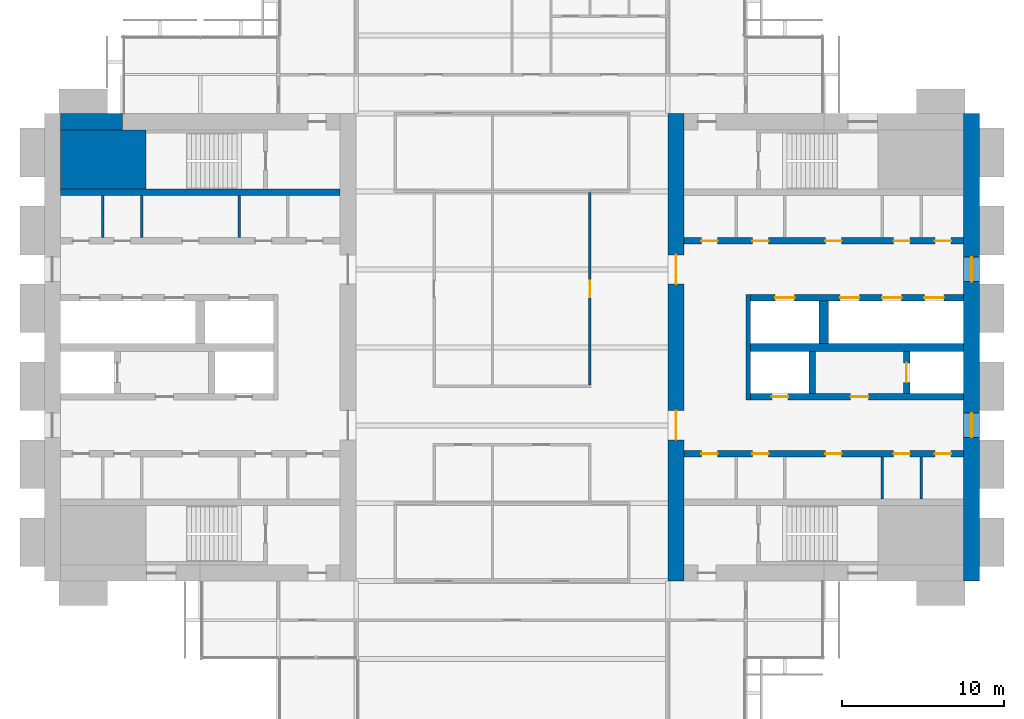
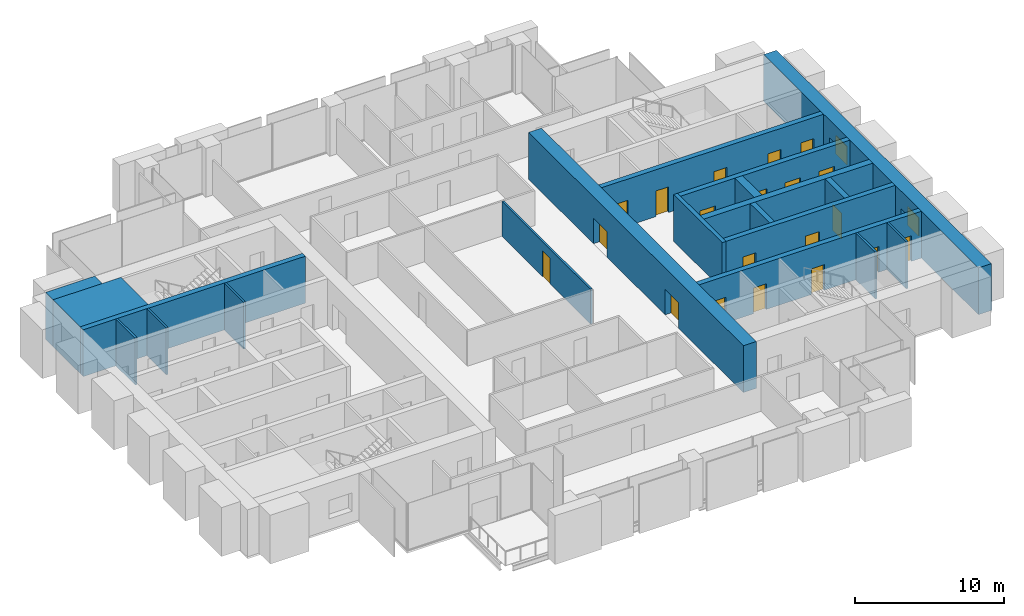
# One storey, part 11 of 14: 20 doors, 20 walls, 2 windows, 22 openings.
"""IFC4 building model written with IfcOpenShell, lengths in metres."""

from ifc_helpers import new_model, si_unit, direction, frame, frame_2d, origin, place, context, subcontext, project, spatial, rectangle, extrude, material, layer, layer_set, type_object, element, fill, save


model = new_model("IFC4")

# Units and contexts
model_context = context("Model", 3, precision=1e-05, world=origin(), true_north=direction((0.0, 1.0)))
body_context = subcontext(model_context, "Body", "Model", "MODEL_VIEW")
ifc_project = project(units=[si_unit("LENGTHUNIT", "METRE"), si_unit("AREAUNIT", "SQUARE_METRE"), si_unit("VOLUMEUNIT", "CUBIC_METRE"), si_unit("PLANEANGLEUNIT", "RADIAN"), si_unit("MASSUNIT", "GRAM", prefix="KILO")], contexts=[model_context])

# Site, building, storey
site_placement = place(None, origin())
site = spatial("IfcSite", under=ifc_project, at=site_placement, CompositionType="ELEMENT")
building_placement = place(site_placement, origin())
building = spatial("IfcBuilding", under=site, at=building_placement, Name="Baori Bourse Tower", CompositionType="ELEMENT")
storey_placement = place(building_placement, frame((0.0, 0.0, 148.10009765625)))
storey = spatial("IfcBuildingStorey", under=building, at=storey_placement, Name="L32", CompositionType="ELEMENT", Elevation=148.10009765625)

# Walls
ifc_material_1 = material(Name="Concrete f'c 60 MPa", Category="concrete")
wall_type_1 = type_object("IfcWallType", Name="Core corner block f'c 60", PredefinedType="SHEAR", material=ifc_material_1)
wall_1_placement = place(storey_placement, frame((1.0, 35.574951171875, 0.0), z_axis=(0.0, 0.0, 1.0), x_axis=(1.0, 0.0, 0.0)))
element("IfcWall", 1, at=wall_1_placement, inside=storey, type_object=wall_type_1, Name="Core wall W28", PredefinedType="SHEAR", context=body_context, shape_type="SweptSolid", body=[
    extrude(rectangle(XDim=5.25, YDim=3.64990234375, at=frame_2d((2.625, 0.0))), origin(), (0.0, 0.0, 1.0), 3.83984375),
])
ifc_material_2 = material(Name="Blockwork partition", Category="masonry")
ifc_layer_1 = layer(ifc_material_2, 0.14990234375)
ifc_layer_set_1 = layer_set([ifc_layer_1], Name="Core partition 150")
wall_type_2 = type_object("IfcWallType", Name="Core partition 150", PredefinedType="PARTITIONING", material=ifc_layer_set_1)
for number, where, z_axis, x_axis, name in (
    (2, (3.60009765625, 30.75, 0.0), (0.0, 0.0, 1.0), (0.0, 1.0, 0.0), "Partition wall W23"),
    (3, (6.0, 30.75, 0.0), (0.0, 0.0, 1.0), (0.0, 1.0, 0.0), "Partition wall W24"),
    (4, (12.0, 30.75, 0.0), (0.0, 0.0, 1.0), (0.0, 1.0, 0.0), "Partition wall W25"),
    (5, (54.0, 14.64990234375, 0.0), (0.0, 0.0, 1.0), (0.0, 1.0, 0.0), "Partition wall E10"),
    (6, (51.60009765625, 14.64990234375, 0.0), (0.0, 0.0, 1.0), (0.0, 1.0, 0.0), "Partition wall E11"),
):
    element("IfcWall", number, at=place(storey_placement, frame(where, z_axis=z_axis, x_axis=x_axis)), inside=storey, type_object=wall_type_2, Name=name, PredefinedType="PARTITIONING", context=body_context, shape_type="SweptSolid", body=[
        extrude(rectangle(XDim=2.60009765625, YDim=0.14990234375, at=frame_2d((1.300048828125, 0.0))), origin(), (0.0, 0.0, 1.0), 3.83984375),
    ])
ifc_material_3 = material(Name="Concrete f'c 60 MPa", Category="concrete")
ifc_layer_2 = layer(ifc_material_3, 1.0)
ifc_layer_set_2 = layer_set([ifc_layer_2], Name="Core wall 1000 f'c 60")
wall_type_3 = type_object("IfcWallType", Name="Core wall 1000 f'c 60", PredefinedType="SHEAR", material=ifc_layer_set_2)
wall_2_placement = place(storey_placement, frame((1.0, 37.89990234375, 0.0), z_axis=(0.0, 0.0, 1.0), x_axis=(1.0, 0.0, 0.0)))
element("IfcWall", 7, at=wall_2_placement, inside=storey, type_object=wall_type_3, Name="Core wall W31", PredefinedType="SHEAR", context=body_context, shape_type="SweptSolid", body=[
    extrude(rectangle(XDim=3.800048828125, YDim=1.0, at=frame_2d((1.89990234375, 0.0))), origin(), (0.0, 0.0, 1.0), 3.83984375),
])

# Wall, openings, windows
wall_3_placement = place(storey_placement, frame((57.10009765625, 38.39990234375, 0.0), z_axis=(0.0, 0.0, 1.0), x_axis=(0.0, -1.0, 0.0)))
wall_3 = element("IfcWall", 8, at=wall_3_placement, inside=storey, type_object=wall_type_3, Name="Core wall E01", PredefinedType="SHEAR", context=body_context, shape_type="SweptSolid", body=[
    extrude(rectangle(XDim=28.7998046875, YDim=1.0, at=frame_2d((14.39990234375, 0.0))), origin(), (0.0, 0.0, 1.0), 3.83984375),
])
opening_1_placement = place(wall_3_placement, frame((18.449951171875, 0.0, 0.89990234375)))
opening_1 = element("IfcOpeningElement", 9, at=opening_1_placement, cuts=wall_3, Name="Opening L32-KW201", PredefinedType="OPENING", context=body_context, shape_type="SweptSolid", body=[
    extrude(rectangle(XDim=1.5, YDim=1.5, at=frame_2d((0.75, 0.75))), frame((0.0, 0.510009765625, 0.0), z_axis=(0.0, -1.0, 0.0), x_axis=(1.0, 0.0, 0.0)), (0.0, 0.0, 1.0), 1.02001953125),
])
opening_2_placement = place(wall_3_placement, frame((8.85009765625, 0.0, 0.89990234375)))
opening_2 = element("IfcOpeningElement", 10, at=opening_2_placement, cuts=wall_3, Name="Opening L32-KW202", PredefinedType="OPENING", context=body_context, shape_type="SweptSolid", body=[
    extrude(rectangle(XDim=1.5, YDim=1.5, at=frame_2d((0.75, 0.75))), frame((0.0, 0.510009765625, 0.0), z_axis=(0.0, -1.0, 0.0), x_axis=(1.0, 0.0, 0.0)), (0.0, 0.0, 1.0), 1.02001953125),
])
ifc_material_4 = material(Name="Pale anodised aluminium", Category="aluminium")
window_type = type_object("IfcWindowType", Name="Lobby window 1500 x 1500", PartitioningType="SINGLE_PANEL", PredefinedType="WINDOW", material=ifc_material_4)
window_1_placement = place(opening_1_placement, origin())
window_1 = element("IfcWindow", 11, at=window_1_placement, inside=storey, type_object=window_type, Name="Outer wall window E L32 1", OverallHeight=1.5, OverallWidth=1.5, PartitioningType="SINGLE_PANEL", PredefinedType="WINDOW", context=body_context, shape_type="SweptSolid", body=[
    extrude(rectangle(XDim=1.5, YDim=1.5, at=frame_2d((0.75, 0.75))), frame((0.0, 0.030029296875, 0.0), z_axis=(0.0, -1.0, 0.0), x_axis=(1.0, 0.0, 0.0)), (0.0, 0.0, 1.0), 0.06005859375),
])
fill(opening_1, window_1)
window_2_placement = place(opening_2_placement, origin())
window_2 = element("IfcWindow", 12, at=window_2_placement, inside=storey, type_object=window_type, Name="Outer wall window E L32 2", OverallHeight=1.5, OverallWidth=1.5, PartitioningType="SINGLE_PANEL", PredefinedType="WINDOW", context=body_context, shape_type="SweptSolid", body=[
    extrude(rectangle(XDim=1.5, YDim=1.5, at=frame_2d((0.75, 0.75))), frame((0.0, 0.030029296875, 0.0), z_axis=(0.0, -1.0, 0.0), x_axis=(1.0, 0.0, 0.0)), (0.0, 0.0, 1.0), 0.06005859375),
])
fill(opening_2, window_2)

# Wall, openings, doors
wall_4_placement = place(storey_placement, frame((38.89990234375, 9.60009765625, 0.0), z_axis=(0.0, 0.0, 1.0), x_axis=(0.0, 1.0, 0.0)))
wall_4 = element("IfcWall", 13, at=wall_4_placement, inside=storey, type_object=wall_type_3, Name="Core wall E04", PredefinedType="SHEAR", context=body_context, shape_type="SweptSolid", body=[
    extrude(rectangle(XDim=28.7998046875, YDim=1.0, at=frame_2d((14.39990234375, 0.0))), origin(), (0.0, 0.0, 1.0), 3.83984375),
])
opening_3_placement = place(wall_4_placement, frame((8.699951171875, 0.0, 0.0)))
opening_3 = element("IfcOpeningElement", 14, at=opening_3_placement, cuts=wall_4, Name="Opening L32-D207", PredefinedType="OPENING", context=body_context, shape_type="SweptSolid", body=[
    extrude(rectangle(XDim=1.800048828125, YDim=2.10009765625, at=frame_2d((0.89990234375, 1.050048828125))), frame((0.0, 0.510009765625, 0.0), z_axis=(0.0, -1.0, 0.0), x_axis=(1.0, 0.0, 0.0)), (0.0, 0.0, 1.0), 1.02001953125),
])
opening_4_placement = place(wall_4_placement, frame((18.300048828125, 0.0, 0.0)))
opening_4 = element("IfcOpeningElement", 15, at=opening_4_placement, cuts=wall_4, Name="Opening L32-D208", PredefinedType="OPENING", context=body_context, shape_type="SweptSolid", body=[
    extrude(rectangle(XDim=1.800048828125, YDim=2.10009765625, at=frame_2d((0.89990234375, 1.050048828125))), frame((0.0, 0.510009765625, 0.0), z_axis=(0.0, -1.0, 0.0), x_axis=(1.0, 0.0, 0.0)), (0.0, 0.0, 1.0), 1.02001953125),
])
ifc_material_5 = material(Name="Painted steel door", Category="steel")
door_type_1 = type_object("IfcDoorType", Name="Core lobby door 1800", OperationType="DOUBLE_DOOR_SINGLE_SWING", PredefinedType="DOOR", material=ifc_material_5)
door_1_placement = place(opening_3_placement, origin())
door_1 = element("IfcDoor", 16, at=door_1_placement, inside=storey, type_object=door_type_1, Name="Lobby door E L32", OperationType="DOUBLE_DOOR_SINGLE_SWING", OverallHeight=2.10009765625, OverallWidth=1.800048828125, PredefinedType="DOOR", context=body_context, shape_type="SweptSolid", body=[
    extrude(rectangle(XDim=1.800048828125, YDim=2.10009765625, at=frame_2d((0.89990234375, 1.050048828125))), frame((0.0, 0.02490234375, 0.0), z_axis=(0.0, -1.0, 0.0), x_axis=(1.0, 0.0, 0.0)), (0.0, 0.0, 1.0), 0.050048828125),
])
fill(opening_3, door_1)
door_2_placement = place(opening_4_placement, origin())
door_2 = element("IfcDoor", 17, at=door_2_placement, inside=storey, type_object=door_type_1, Name="Lobby door E L32", OperationType="DOUBLE_DOOR_SINGLE_SWING", OverallHeight=2.10009765625, OverallWidth=1.800048828125, PredefinedType="DOOR", context=body_context, shape_type="SweptSolid", body=[
    extrude(rectangle(XDim=1.800048828125, YDim=2.10009765625, at=frame_2d((0.89990234375, 1.050048828125))), frame((0.0, 0.02490234375, 0.0), z_axis=(0.0, -1.0, 0.0), x_axis=(1.0, 0.0, 0.0)), (0.0, 0.0, 1.0), 0.050048828125),
])
fill(opening_4, door_2)

# Wall, opening, door
ifc_material_6 = material(Name="Gypsum board partition")
ifc_layer_3 = layer(ifc_material_6, 0.14990234375)
ifc_layer_set_3 = layer_set([ifc_layer_3], Name="Corridor partition 150")
wall_type_4 = type_object("IfcWallType", Name="Corridor partition 150", PredefinedType="PARTITIONING", material=ifc_layer_set_3)
wall_5_placement = place(storey_placement, frame((33.60009765625, 21.675048828125, 0.0), z_axis=(0.0, 0.0, 1.0), x_axis=(0.0, 1.0, 0.0)))
wall_5 = element("IfcWall", 18, at=wall_5_placement, inside=storey, type_object=wall_type_4, Name="Partition", PredefinedType="PARTITIONING", context=body_context, shape_type="SweptSolid", body=[
    extrude(rectangle(XDim=11.849853515625, YDim=0.14990234375, at=frame_2d((5.9248046875, 0.0))), origin(), (0.0, 0.0, 1.0), 2.849365234375),
])
opening_5_placement = place(wall_5_placement, frame((5.425048828125, 0.0, 0.0)))
opening_5 = element("IfcOpeningElement", 19, at=opening_5_placement, cuts=wall_5, Name="Opening L32-D20", PredefinedType="OPENING", context=body_context, shape_type="SweptSolid", body=[
    extrude(rectangle(XDim=1.0, YDim=2.10009765625, at=frame_2d((0.5, 1.050048828125))), frame((0.0, 0.0849609375, 0.0), z_axis=(0.0, -1.0, 0.0), x_axis=(1.0, 0.0, 0.0)), (0.0, 0.0, 1.0), 0.169921875),
])
ifc_material_7 = material(Name="Timber door leaf", Category="wood")
door_type_2 = type_object("IfcDoorType", Name="Door 1000 x 2100", OperationType="SINGLE_SWING_LEFT", PredefinedType="DOOR", material=ifc_material_7)
door_3_placement = place(opening_5_placement, origin())
door_3 = element("IfcDoor", 20, at=door_3_placement, inside=storey, type_object=door_type_2, Name="Door", OperationType="SINGLE_SWING_LEFT", OverallHeight=2.10009765625, OverallWidth=1.0, PredefinedType="DOOR", context=body_context, shape_type="SweptSolid", body=[
    extrude(rectangle(XDim=1.0, YDim=2.10009765625, at=frame_2d((0.5, 1.050048828125))), frame((0.0, 0.02490234375, 0.0), z_axis=(0.0, -1.0, 0.0), x_axis=(1.0, 0.0, 0.0)), (0.0, 0.0, 1.0), 0.050048828125),
])
fill(opening_5, door_3)

# Walls
ifc_material_8 = material(Name="Concrete f'c 60 MPa", Category="concrete")
ifc_layer_4 = layer(ifc_material_8, 0.300048828125)
ifc_layer_set_4 = layer_set([ifc_layer_4], Name="Shaft wall 300 f'c 60")
wall_type_5 = type_object("IfcWallType", Name="Shaft wall 300 f'c 60", PredefinedType="SHEAR", material=ifc_layer_set_4)
wall_6_placement = place(storey_placement, frame((43.35009765625, 20.75, 0.0), z_axis=(0.0, 0.0, 1.0), x_axis=(0.0, 1.0, 0.0)))
element("IfcWall", 21, at=wall_6_placement, inside=storey, type_object=wall_type_5, Name="Core wall E16", PredefinedType="SHEAR", context=body_context, shape_type="SweptSolid", body=[
    extrude(rectangle(XDim=6.5, YDim=0.300048828125, at=frame_2d((3.25, 0.0))), origin(), (0.0, 0.0, 1.0), 3.83984375),
])
ifc_material_9 = material(Name="Concrete f'c 60 MPa", Category="concrete")
ifc_layer_5 = layer(ifc_material_9, 0.39990234375)
ifc_layer_set_5 = layer_set([ifc_layer_5], Name="Shaft wall 400 f'c 60")
wall_type_6 = type_object("IfcWallType", Name="Shaft wall 400 f'c 60", PredefinedType="SHEAR", material=ifc_layer_set_5)
wall_7_placement = place(storey_placement, frame((1.0, 33.550048828125, 0.0), z_axis=(0.0, 0.0, 1.0), x_axis=(1.0, 0.0, 0.0)))
element("IfcWall", 22, at=wall_7_placement, inside=storey, type_object=wall_type_6, Name="Core wall W27", PredefinedType="SHEAR", context=body_context, shape_type="SweptSolid", body=[
    extrude(rectangle(XDim=17.199951171875, YDim=0.39990234375, at=frame_2d((8.60009765625, 0.0))), origin(), (0.0, 0.0, 1.0), 3.83984375),
])

# Wall, openings, doors
wall_8_placement = place(storey_placement, frame((39.39990234375, 17.449951171875, 0.0), z_axis=(0.0, 0.0, 1.0), x_axis=(1.0, 0.0, 0.0)))
wall_8 = element("IfcWall", 23, at=wall_8_placement, inside=storey, type_object=wall_type_6, Name="Core wall E14", PredefinedType="SHEAR", context=body_context, shape_type="SweptSolid", body=[
    extrude(rectangle(XDim=17.2001953125, YDim=0.39990234375, at=frame_2d((8.60009765625, 0.0))), origin(), (0.0, 0.0, 1.0), 3.83984375),
])
opening_6_placement = place(wall_8_placement, frame((15.4375, 0.0, 0.0)))
opening_6 = element("IfcOpeningElement", 24, at=opening_6_placement, cuts=wall_8, Name="Opening L32-D214", PredefinedType="OPENING", context=body_context, shape_type="SweptSolid", body=[
    extrude(rectangle(XDim=1.0, YDim=2.10009765625, at=frame_2d((0.5, 1.050048828125))), frame((0.0, 0.2099609375, 0.0), z_axis=(0.0, -1.0, 0.0), x_axis=(1.0, 0.0, 0.0)), (0.0, 0.0, 1.0), 0.419921875),
])
opening_7_placement = place(wall_8_placement, frame((12.89990234375, 0.0, 0.0)))
opening_7 = element("IfcOpeningElement", 25, at=opening_7_placement, cuts=wall_8, Name="Opening L32-D215", PredefinedType="OPENING", context=body_context, shape_type="SweptSolid", body=[
    extrude(rectangle(XDim=1.0, YDim=2.10009765625, at=frame_2d((0.5, 1.050048828125))), frame((0.0, 0.2099609375, 0.0), z_axis=(0.0, -1.0, 0.0), x_axis=(1.0, 0.0, 0.0)), (0.0, 0.0, 1.0), 0.419921875),
])
opening_8_placement = place(wall_8_placement, frame((8.699951171875, 0.0, 0.0)))
opening_8 = element("IfcOpeningElement", 26, at=opening_8_placement, cuts=wall_8, Name="Opening L32-D216", PredefinedType="OPENING", context=body_context, shape_type="SweptSolid", body=[
    extrude(rectangle(XDim=1.0, YDim=2.10009765625, at=frame_2d((0.5, 1.050048828125))), frame((0.0, 0.2099609375, 0.0), z_axis=(0.0, -1.0, 0.0), x_axis=(1.0, 0.0, 0.0)), (0.0, 0.0, 1.0), 0.419921875),
])
opening_9_placement = place(wall_8_placement, frame((4.199951171875, 0.0, 0.0)))
opening_9 = element("IfcOpeningElement", 27, at=opening_9_placement, cuts=wall_8, Name="Opening L32-D217", PredefinedType="OPENING", context=body_context, shape_type="SweptSolid", body=[
    extrude(rectangle(XDim=1.0, YDim=2.10009765625, at=frame_2d((0.5, 1.050048828125))), frame((0.0, 0.2099609375, 0.0), z_axis=(0.0, -1.0, 0.0), x_axis=(1.0, 0.0, 0.0)), (0.0, 0.0, 1.0), 0.419921875),
])
opening_10_placement = place(wall_8_placement, frame((1.0625, 0.0, 0.0)))
opening_10 = element("IfcOpeningElement", 28, at=opening_10_placement, cuts=wall_8, Name="Opening L32-D218", PredefinedType="OPENING", context=body_context, shape_type="SweptSolid", body=[
    extrude(rectangle(XDim=1.0, YDim=2.10009765625, at=frame_2d((0.5, 1.050048828125))), frame((0.0, 0.2099609375, 0.0), z_axis=(0.0, -1.0, 0.0), x_axis=(1.0, 0.0, 0.0)), (0.0, 0.0, 1.0), 0.419921875),
])
ifc_material_10 = material(Name="Painted steel door", Category="steel")
door_type_3 = type_object("IfcDoorType", Name="Core door 1000", OperationType="SINGLE_SWING_LEFT", PredefinedType="DOOR", material=ifc_material_10)
door_4_placement = place(opening_6_placement, origin())
door_4 = element("IfcDoor", 29, at=door_4_placement, inside=storey, type_object=door_type_3, Name="Store Room door E L32", OperationType="SINGLE_SWING_LEFT", OverallHeight=2.10009765625, OverallWidth=1.0, PredefinedType="DOOR", context=body_context, shape_type="SweptSolid", body=[
    extrude(rectangle(XDim=1.0, YDim=2.10009765625, at=frame_2d((0.5, 1.050048828125))), frame((0.0, 0.02490234375, 0.0), z_axis=(0.0, -1.0, 0.0), x_axis=(1.0, 0.0, 0.0)), (0.0, 0.0, 1.0), 0.050048828125),
])
fill(opening_6, door_4)
door_5_placement = place(opening_7_placement, origin())
door_5 = element("IfcDoor", 30, at=door_5_placement, inside=storey, type_object=door_type_3, Name="Pantry door E L32", OperationType="SINGLE_SWING_LEFT", OverallHeight=2.10009765625, OverallWidth=1.0, PredefinedType="DOOR", context=body_context, shape_type="SweptSolid", body=[
    extrude(rectangle(XDim=1.0, YDim=2.10009765625, at=frame_2d((0.5, 1.050048828125))), frame((0.0, 0.02490234375, 0.0), z_axis=(0.0, -1.0, 0.0), x_axis=(1.0, 0.0, 0.0)), (0.0, 0.0, 1.0), 0.050048828125),
])
fill(opening_7, door_5)
door_6_placement = place(opening_8_placement, origin())
door_6 = element("IfcDoor", 31, at=door_6_placement, inside=storey, type_object=door_type_3, Name="Men'S Wc door E L32", OperationType="SINGLE_SWING_LEFT", OverallHeight=2.10009765625, OverallWidth=1.0, PredefinedType="DOOR", context=body_context, shape_type="SweptSolid", body=[
    extrude(rectangle(XDim=1.0, YDim=2.10009765625, at=frame_2d((0.5, 1.050048828125))), frame((0.0, 0.02490234375, 0.0), z_axis=(0.0, -1.0, 0.0), x_axis=(1.0, 0.0, 0.0)), (0.0, 0.0, 1.0), 0.050048828125),
])
fill(opening_8, door_6)
door_7_placement = place(opening_9_placement, origin())
door_7 = element("IfcDoor", 32, at=door_7_placement, inside=storey, type_object=door_type_3, Name="Women'S Wc door E L32", OperationType="SINGLE_SWING_LEFT", OverallHeight=2.10009765625, OverallWidth=1.0, PredefinedType="DOOR", context=body_context, shape_type="SweptSolid", body=[
    extrude(rectangle(XDim=1.0, YDim=2.10009765625, at=frame_2d((0.5, 1.050048828125))), frame((0.0, 0.02490234375, 0.0), z_axis=(0.0, -1.0, 0.0), x_axis=(1.0, 0.0, 0.0)), (0.0, 0.0, 1.0), 0.050048828125),
])
fill(opening_9, door_7)
door_8_placement = place(opening_10_placement, origin())
door_8 = element("IfcDoor", 33, at=door_8_placement, inside=storey, type_object=door_type_3, Name="Accessible Wc door E L32", OperationType="SINGLE_SWING_LEFT", OverallHeight=2.10009765625, OverallWidth=1.0, PredefinedType="DOOR", context=body_context, shape_type="SweptSolid", body=[
    extrude(rectangle(XDim=1.0, YDim=2.10009765625, at=frame_2d((0.5, 1.050048828125))), frame((0.0, 0.02490234375, 0.0), z_axis=(0.0, -1.0, 0.0), x_axis=(1.0, 0.0, 0.0)), (0.0, 0.0, 1.0), 0.050048828125),
])
fill(opening_10, door_8)

wall_9_placement = place(storey_placement, frame((43.5, 20.949951171875, 0.0), z_axis=(0.0, 0.0, 1.0), x_axis=(1.0, 0.0, 0.0)))
wall_9 = element("IfcWall", 34, at=wall_9_placement, inside=storey, type_object=wall_type_6, Name="Core wall E15", PredefinedType="SHEAR", context=body_context, shape_type="SweptSolid", body=[
    extrude(rectangle(XDim=13.10009765625, YDim=0.39990234375, at=frame_2d((6.550048828125, 0.0))), origin(), (0.0, 0.0, 1.0), 3.83984375),
])
opening_11_placement = place(wall_9_placement, frame((6.14990234375, 0.0, 0.0)))
opening_11 = element("IfcOpeningElement", 35, at=opening_11_placement, cuts=wall_9, Name="Opening L32-D205", PredefinedType="OPENING", context=body_context, shape_type="SweptSolid", body=[
    extrude(rectangle(XDim=1.10009765625, YDim=2.10009765625, at=frame_2d((0.550048828125, 1.050048828125))), frame((0.0, 0.2099609375, 0.0), z_axis=(0.0, -1.0, 0.0), x_axis=(1.0, 0.0, 0.0)), (0.0, 0.0, 1.0), 0.419921875),
])
opening_12_placement = place(wall_9_placement, frame((1.300048828125, 0.0, 0.0)))
opening_12 = element("IfcOpeningElement", 36, at=opening_12_placement, cuts=wall_9, Name="Opening L32-D206", PredefinedType="OPENING", context=body_context, shape_type="SweptSolid", body=[
    extrude(rectangle(XDim=1.0, YDim=2.10009765625, at=frame_2d((0.5, 1.050048828125))), frame((0.0, 0.2099609375, 0.0), z_axis=(0.0, -1.0, 0.0), x_axis=(1.0, 0.0, 0.0)), (0.0, 0.0, 1.0), 0.419921875),
])
ifc_material_11 = material(Name="Painted steel door", Category="steel")
door_type_4 = type_object("IfcDoorType", Name="Lobby door 1100", OperationType="SINGLE_SWING_LEFT", PredefinedType="DOOR", material=ifc_material_11)
door_9_placement = place(opening_11_placement, origin())
door_9 = element("IfcDoor", 37, at=door_9_placement, inside=storey, type_object=door_type_4, Name="Firefighting lobby door E L32", OperationType="SINGLE_SWING_LEFT", OverallHeight=2.10009765625, OverallWidth=1.10009765625, PredefinedType="DOOR", context=body_context, shape_type="SweptSolid", body=[
    extrude(rectangle(XDim=1.10009765625, YDim=2.10009765625, at=frame_2d((0.550048828125, 1.050048828125))), frame((0.0, 0.02490234375, 0.0), z_axis=(0.0, -1.0, 0.0), x_axis=(1.0, 0.0, 0.0)), (0.0, 0.0, 1.0), 0.050048828125),
])
fill(opening_11, door_9)
ifc_material_12 = material(Name="Painted steel door", Category="steel")
door_type_5 = type_object("IfcDoorType", Name="Shaft door 1000", OperationType="SINGLE_SWING_LEFT", PredefinedType="DOOR", material=ifc_material_12)
door_10_placement = place(opening_12_placement, origin())
door_10 = element("IfcDoor", 38, at=door_10_placement, inside=storey, type_object=door_type_5, Name="Riser room door E L32", OperationType="SINGLE_SWING_LEFT", OverallHeight=2.10009765625, OverallWidth=1.0, PredefinedType="DOOR", context=body_context, shape_type="SweptSolid", body=[
    extrude(rectangle(XDim=1.0, YDim=2.10009765625, at=frame_2d((0.5, 1.050048828125))), frame((0.0, 0.02490234375, 0.0), z_axis=(0.0, -1.0, 0.0), x_axis=(1.0, 0.0, 0.0)), (0.0, 0.0, 1.0), 0.050048828125),
])
fill(opening_12, door_10)

# Wall, opening, door
wall_10_placement = place(storey_placement, frame((53.10009765625, 21.14990234375, 0.0), z_axis=(0.0, 0.0, 1.0), x_axis=(0.0, 1.0, 0.0)))
wall_10 = element("IfcWall", 39, at=wall_10_placement, inside=storey, type_object=wall_type_6, Name="Core wall E17", PredefinedType="SHEAR", context=body_context, shape_type="SweptSolid", body=[
    extrude(rectangle(XDim=2.60009765625, YDim=0.39990234375, at=frame_2d((1.300048828125, 0.0))), origin(), (0.0, 0.0, 1.0), 3.83984375),
])
opening_13_placement = place(wall_10_placement, frame((0.699951171875, 0.0, 0.0)))
opening_13 = element("IfcOpeningElement", 40, at=opening_13_placement, cuts=wall_10, Name="Opening L32-D223", PredefinedType="OPENING", context=body_context, shape_type="SweptSolid", body=[
    extrude(rectangle(XDim=1.199951171875, YDim=2.10009765625, at=frame_2d((0.60009765625, 1.050048828125))), frame((0.0, 0.2099609375, 0.0), z_axis=(0.0, -1.0, 0.0), x_axis=(1.0, 0.0, 0.0)), (0.0, 0.0, 1.0), 0.419921875),
])
ifc_material_13 = material(Name="Stainless steel door", Category="steel")
door_type_6 = type_object("IfcDoorType", Name="Lift landing door", OperationType="DOUBLE_DOOR_SLIDING", PredefinedType="DOOR", material=ifc_material_13)
door_11_placement = place(opening_13_placement, origin())
door_11 = element("IfcDoor", 41, at=door_11_placement, inside=storey, type_object=door_type_6, Name="Lift landing door FF2 E L32", OperationType="DOUBLE_DOOR_SLIDING", OverallHeight=2.10009765625, OverallWidth=1.199951171875, PredefinedType="DOOR", context=body_context, shape_type="SweptSolid", body=[
    extrude(rectangle(XDim=1.199951171875, YDim=2.10009765625, at=frame_2d((0.60009765625, 1.050048828125))), frame((0.0, 0.02490234375, 0.0), z_axis=(0.0, -1.0, 0.0), x_axis=(1.0, 0.0, 0.0)), (0.0, 0.0, 1.0), 0.050048828125),
])
fill(opening_13, door_11)

# Wall
wall_11_placement = place(storey_placement, frame((47.300048828125, 21.14990234375, 0.0), z_axis=(0.0, 0.0, 1.0), x_axis=(0.0, 1.0, 0.0)))
element("IfcWall", 42, at=wall_11_placement, inside=storey, type_object=wall_type_6, Name="Core wall E18", PredefinedType="SHEAR", context=body_context, shape_type="SweptSolid", body=[
    extrude(rectangle(XDim=2.60009765625, YDim=0.39990234375, at=frame_2d((1.300048828125, 0.0))), origin(), (0.0, 0.0, 1.0), 3.83984375),
])

# Wall, openings, doors
wall_12_placement = place(storey_placement, frame((43.5, 27.050048828125, 0.0), z_axis=(0.0, 0.0, 1.0), x_axis=(1.0, 0.0, 0.0)))
wall_12 = element("IfcWall", 43, at=wall_12_placement, inside=storey, type_object=wall_type_6, Name="Core wall E21", PredefinedType="SHEAR", context=body_context, shape_type="SweptSolid", body=[
    extrude(rectangle(XDim=13.10009765625, YDim=0.39990234375, at=frame_2d((6.550048828125, 0.0))), origin(), (0.0, 0.0, 1.0), 3.83984375),
])
opening_14_placement = place(wall_12_placement, frame((10.699951171875, 0.0, 0.0)))
opening_14 = element("IfcOpeningElement", 44, at=opening_14_placement, cuts=wall_12, Name="Opening L32-D219", PredefinedType="OPENING", context=body_context, shape_type="SweptSolid", body=[
    extrude(rectangle(XDim=1.199951171875, YDim=2.10009765625, at=frame_2d((0.60009765625, 1.050048828125))), frame((0.0, 0.2099609375, 0.0), z_axis=(0.0, -1.0, 0.0), x_axis=(1.0, 0.0, 0.0)), (0.0, 0.0, 1.0), 0.419921875),
])
opening_15_placement = place(wall_12_placement, frame((8.10009765625, 0.0, 0.0)))
opening_15 = element("IfcOpeningElement", 45, at=opening_15_placement, cuts=wall_12, Name="Opening L32-D220", PredefinedType="OPENING", context=body_context, shape_type="SweptSolid", body=[
    extrude(rectangle(XDim=1.199951171875, YDim=2.10009765625, at=frame_2d((0.60009765625, 1.050048828125))), frame((0.0, 0.2099609375, 0.0), z_axis=(0.0, -1.0, 0.0), x_axis=(1.0, 0.0, 0.0)), (0.0, 0.0, 1.0), 0.419921875),
])
opening_16_placement = place(wall_12_placement, frame((5.5, 0.0, 0.0)))
opening_16 = element("IfcOpeningElement", 46, at=opening_16_placement, cuts=wall_12, Name="Opening L32-D221", PredefinedType="OPENING", context=body_context, shape_type="SweptSolid", body=[
    extrude(rectangle(XDim=1.199951171875, YDim=2.10009765625, at=frame_2d((0.60009765625, 1.050048828125))), frame((0.0, 0.2099609375, 0.0), z_axis=(0.0, -1.0, 0.0), x_axis=(1.0, 0.0, 0.0)), (0.0, 0.0, 1.0), 0.419921875),
])
opening_17_placement = place(wall_12_placement, frame((1.5, 0.0, 0.0)))
opening_17 = element("IfcOpeningElement", 47, at=opening_17_placement, cuts=wall_12, Name="Opening L32-D222", PredefinedType="OPENING", context=body_context, shape_type="SweptSolid", body=[
    extrude(rectangle(XDim=1.199951171875, YDim=2.10009765625, at=frame_2d((0.60009765625, 1.050048828125))), frame((0.0, 0.2099609375, 0.0), z_axis=(0.0, -1.0, 0.0), x_axis=(1.0, 0.0, 0.0)), (0.0, 0.0, 1.0), 0.419921875),
])
door_12_placement = place(opening_14_placement, origin())
door_12 = element("IfcDoor", 48, at=door_12_placement, inside=storey, type_object=door_type_6, Name="Lift landing door SH1 E L32", OperationType="DOUBLE_DOOR_SLIDING", OverallHeight=2.10009765625, OverallWidth=1.199951171875, PredefinedType="DOOR", context=body_context, shape_type="SweptSolid", body=[
    extrude(rectangle(XDim=1.199951171875, YDim=2.10009765625, at=frame_2d((0.60009765625, 1.050048828125))), frame((0.0, 0.02490234375, 0.0), z_axis=(0.0, -1.0, 0.0), x_axis=(1.0, 0.0, 0.0)), (0.0, 0.0, 1.0), 0.050048828125),
])
fill(opening_14, door_12)
door_13_placement = place(opening_15_placement, origin())
door_13 = element("IfcDoor", 49, at=door_13_placement, inside=storey, type_object=door_type_6, Name="Lift landing door SH2 E L32", OperationType="DOUBLE_DOOR_SLIDING", OverallHeight=2.10009765625, OverallWidth=1.199951171875, PredefinedType="DOOR", context=body_context, shape_type="SweptSolid", body=[
    extrude(rectangle(XDim=1.199951171875, YDim=2.10009765625, at=frame_2d((0.60009765625, 1.050048828125))), frame((0.0, 0.02490234375, 0.0), z_axis=(0.0, -1.0, 0.0), x_axis=(1.0, 0.0, 0.0)), (0.0, 0.0, 1.0), 0.050048828125),
])
fill(opening_15, door_13)
door_14_placement = place(opening_16_placement, origin())
door_14 = element("IfcDoor", 50, at=door_14_placement, inside=storey, type_object=door_type_6, Name="Lift landing door SH3 E L32", OperationType="DOUBLE_DOOR_SLIDING", OverallHeight=2.10009765625, OverallWidth=1.199951171875, PredefinedType="DOOR", context=body_context, shape_type="SweptSolid", body=[
    extrude(rectangle(XDim=1.199951171875, YDim=2.10009765625, at=frame_2d((0.60009765625, 1.050048828125))), frame((0.0, 0.02490234375, 0.0), z_axis=(0.0, -1.0, 0.0), x_axis=(1.0, 0.0, 0.0)), (0.0, 0.0, 1.0), 0.050048828125),
])
fill(opening_16, door_14)
door_15_placement = place(opening_17_placement, origin())
door_15 = element("IfcDoor", 51, at=door_15_placement, inside=storey, type_object=door_type_6, Name="Lift landing door SV1 E L32", OperationType="DOUBLE_DOOR_SLIDING", OverallHeight=2.10009765625, OverallWidth=1.199951171875, PredefinedType="DOOR", context=body_context, shape_type="SweptSolid", body=[
    extrude(rectangle(XDim=1.199951171875, YDim=2.10009765625, at=frame_2d((0.60009765625, 1.050048828125))), frame((0.0, 0.02490234375, 0.0), z_axis=(0.0, -1.0, 0.0), x_axis=(1.0, 0.0, 0.0)), (0.0, 0.0, 1.0), 0.050048828125),
])
fill(opening_17, door_15)

wall_13_placement = place(storey_placement, frame((39.39990234375, 30.550048828125, 0.0), z_axis=(0.0, 0.0, 1.0), x_axis=(1.0, 0.0, 0.0)))
wall_13 = element("IfcWall", 52, at=wall_13_placement, inside=storey, type_object=wall_type_6, Name="Core wall E22", PredefinedType="SHEAR", context=body_context, shape_type="SweptSolid", body=[
    extrude(rectangle(XDim=17.2001953125, YDim=0.39990234375, at=frame_2d((8.60009765625, 0.0))), origin(), (0.0, 0.0, 1.0), 3.83984375),
])
opening_18_placement = place(wall_13_placement, frame((15.4375, 0.0, 0.0)))
opening_18 = element("IfcOpeningElement", 53, at=opening_18_placement, cuts=wall_13, Name="Opening L32-D209", PredefinedType="OPENING", context=body_context, shape_type="SweptSolid", body=[
    extrude(rectangle(XDim=1.0, YDim=2.10009765625, at=frame_2d((0.5, 1.050048828125))), frame((0.0, 0.2099609375, 0.0), z_axis=(0.0, -1.0, 0.0), x_axis=(1.0, 0.0, 0.0)), (0.0, 0.0, 1.0), 0.419921875),
])
opening_19_placement = place(wall_13_placement, frame((12.89990234375, 0.0, 0.0)))
opening_19 = element("IfcOpeningElement", 54, at=opening_19_placement, cuts=wall_13, Name="Opening L32-D210", PredefinedType="OPENING", context=body_context, shape_type="SweptSolid", body=[
    extrude(rectangle(XDim=1.0, YDim=2.10009765625, at=frame_2d((0.5, 1.050048828125))), frame((0.0, 0.2099609375, 0.0), z_axis=(0.0, -1.0, 0.0), x_axis=(1.0, 0.0, 0.0)), (0.0, 0.0, 1.0), 0.419921875),
])
opening_20_placement = place(wall_13_placement, frame((8.699951171875, 0.0, 0.0)))
opening_20 = element("IfcOpeningElement", 55, at=opening_20_placement, cuts=wall_13, Name="Opening L32-D211", PredefinedType="OPENING", context=body_context, shape_type="SweptSolid", body=[
    extrude(rectangle(XDim=1.0, YDim=2.10009765625, at=frame_2d((0.5, 1.050048828125))), frame((0.0, 0.2099609375, 0.0), z_axis=(0.0, -1.0, 0.0), x_axis=(1.0, 0.0, 0.0)), (0.0, 0.0, 1.0), 0.419921875),
])
opening_21_placement = place(wall_13_placement, frame((4.199951171875, 0.0, 0.0)))
opening_21 = element("IfcOpeningElement", 56, at=opening_21_placement, cuts=wall_13, Name="Opening L32-D212", PredefinedType="OPENING", context=body_context, shape_type="SweptSolid", body=[
    extrude(rectangle(XDim=1.0, YDim=2.10009765625, at=frame_2d((0.5, 1.050048828125))), frame((0.0, 0.2099609375, 0.0), z_axis=(0.0, -1.0, 0.0), x_axis=(1.0, 0.0, 0.0)), (0.0, 0.0, 1.0), 0.419921875),
])
opening_22_placement = place(wall_13_placement, frame((1.0625, 0.0, 0.0)))
opening_22 = element("IfcOpeningElement", 57, at=opening_22_placement, cuts=wall_13, Name="Opening L32-D213", PredefinedType="OPENING", context=body_context, shape_type="SweptSolid", body=[
    extrude(rectangle(XDim=1.0, YDim=2.10009765625, at=frame_2d((0.5, 1.050048828125))), frame((0.0, 0.2099609375, 0.0), z_axis=(0.0, -1.0, 0.0), x_axis=(1.0, 0.0, 0.0)), (0.0, 0.0, 1.0), 0.419921875),
])
door_16_placement = place(opening_18_placement, origin())
door_16 = element("IfcDoor", 58, at=door_16_placement, inside=storey, type_object=door_type_3, Name="Store Room door E L32", OperationType="SINGLE_SWING_LEFT", OverallHeight=2.10009765625, OverallWidth=1.0, PredefinedType="DOOR", context=body_context, shape_type="SweptSolid", body=[
    extrude(rectangle(XDim=1.0, YDim=2.10009765625, at=frame_2d((0.5, 1.050048828125))), frame((0.0, 0.02490234375, 0.0), z_axis=(0.0, -1.0, 0.0), x_axis=(1.0, 0.0, 0.0)), (0.0, 0.0, 1.0), 0.050048828125),
])
fill(opening_18, door_16)
door_17_placement = place(opening_19_placement, origin())
door_17 = element("IfcDoor", 59, at=door_17_placement, inside=storey, type_object=door_type_3, Name="Pantry door E L32", OperationType="SINGLE_SWING_LEFT", OverallHeight=2.10009765625, OverallWidth=1.0, PredefinedType="DOOR", context=body_context, shape_type="SweptSolid", body=[
    extrude(rectangle(XDim=1.0, YDim=2.10009765625, at=frame_2d((0.5, 1.050048828125))), frame((0.0, 0.02490234375, 0.0), z_axis=(0.0, -1.0, 0.0), x_axis=(1.0, 0.0, 0.0)), (0.0, 0.0, 1.0), 0.050048828125),
])
fill(opening_19, door_17)
door_18_placement = place(opening_20_placement, origin())
door_18 = element("IfcDoor", 60, at=door_18_placement, inside=storey, type_object=door_type_3, Name="Men'S Wc door E L32", OperationType="SINGLE_SWING_LEFT", OverallHeight=2.10009765625, OverallWidth=1.0, PredefinedType="DOOR", context=body_context, shape_type="SweptSolid", body=[
    extrude(rectangle(XDim=1.0, YDim=2.10009765625, at=frame_2d((0.5, 1.050048828125))), frame((0.0, 0.02490234375, 0.0), z_axis=(0.0, -1.0, 0.0), x_axis=(1.0, 0.0, 0.0)), (0.0, 0.0, 1.0), 0.050048828125),
])
fill(opening_20, door_18)
door_19_placement = place(opening_21_placement, origin())
door_19 = element("IfcDoor", 61, at=door_19_placement, inside=storey, type_object=door_type_3, Name="Women'S Wc door E L32", OperationType="SINGLE_SWING_LEFT", OverallHeight=2.10009765625, OverallWidth=1.0, PredefinedType="DOOR", context=body_context, shape_type="SweptSolid", body=[
    extrude(rectangle(XDim=1.0, YDim=2.10009765625, at=frame_2d((0.5, 1.050048828125))), frame((0.0, 0.02490234375, 0.0), z_axis=(0.0, -1.0, 0.0), x_axis=(1.0, 0.0, 0.0)), (0.0, 0.0, 1.0), 0.050048828125),
])
fill(opening_21, door_19)
door_20_placement = place(opening_22_placement, origin())
door_20 = element("IfcDoor", 62, at=door_20_placement, inside=storey, type_object=door_type_3, Name="Accessible Wc door E L32", OperationType="SINGLE_SWING_LEFT", OverallHeight=2.10009765625, OverallWidth=1.0, PredefinedType="DOOR", context=body_context, shape_type="SweptSolid", body=[
    extrude(rectangle(XDim=1.0, YDim=2.10009765625, at=frame_2d((0.5, 1.050048828125))), frame((0.0, 0.02490234375, 0.0), z_axis=(0.0, -1.0, 0.0), x_axis=(1.0, 0.0, 0.0)), (0.0, 0.0, 1.0), 0.050048828125),
])
fill(opening_22, door_20)

# Walls
ifc_material_14 = material(Name="Concrete f'c 60 MPa", Category="concrete")
ifc_layer_6 = layer(ifc_material_14, 0.5)
ifc_layer_set_6 = layer_set([ifc_layer_6], Name="Shaft wall 500 f'c 60")
wall_type_7 = type_object("IfcWallType", Name="Shaft wall 500 f'c 60", PredefinedType="SHEAR", material=ifc_layer_set_6)
wall_14_placement = place(storey_placement, frame((43.5, 24.0, 0.0), z_axis=(0.0, 0.0, 1.0), x_axis=(1.0, 0.0, 0.0)))
element("IfcWall", 63, at=wall_14_placement, inside=storey, type_object=wall_type_7, Name="Core wall E19", PredefinedType="SHEAR", context=body_context, shape_type="SweptSolid", body=[
    extrude(rectangle(XDim=13.10009765625, YDim=0.5, at=frame_2d((6.550048828125, 0.0))), origin(), (0.0, 0.0, 1.0), 3.83984375),
])
ifc_material_15 = material(Name="Concrete f'c 60 MPa", Category="concrete")
ifc_layer_7 = layer(ifc_material_15, 0.60009765625)
ifc_layer_set_7 = layer_set([ifc_layer_7], Name="Shaft wall 600 f'c 60")
wall_type_8 = type_object("IfcWallType", Name="Shaft wall 600 f'c 60", PredefinedType="SHEAR", material=ifc_layer_set_7)
wall_15_placement = place(storey_placement, frame((48.0, 24.25, 0.0), z_axis=(0.0, 0.0, 1.0), x_axis=(0.0, 1.0, 0.0)))
element("IfcWall", 64, at=wall_15_placement, inside=storey, type_object=wall_type_8, Name="Core wall E20", PredefinedType="SHEAR", context=body_context, shape_type="SweptSolid", body=[
    extrude(rectangle(XDim=2.60009765625, YDim=0.60009765625, at=frame_2d((1.300048828125, 0.0))), origin(), (0.0, 0.0, 1.0), 3.83984375),
])

save(model, "model.ifc")
